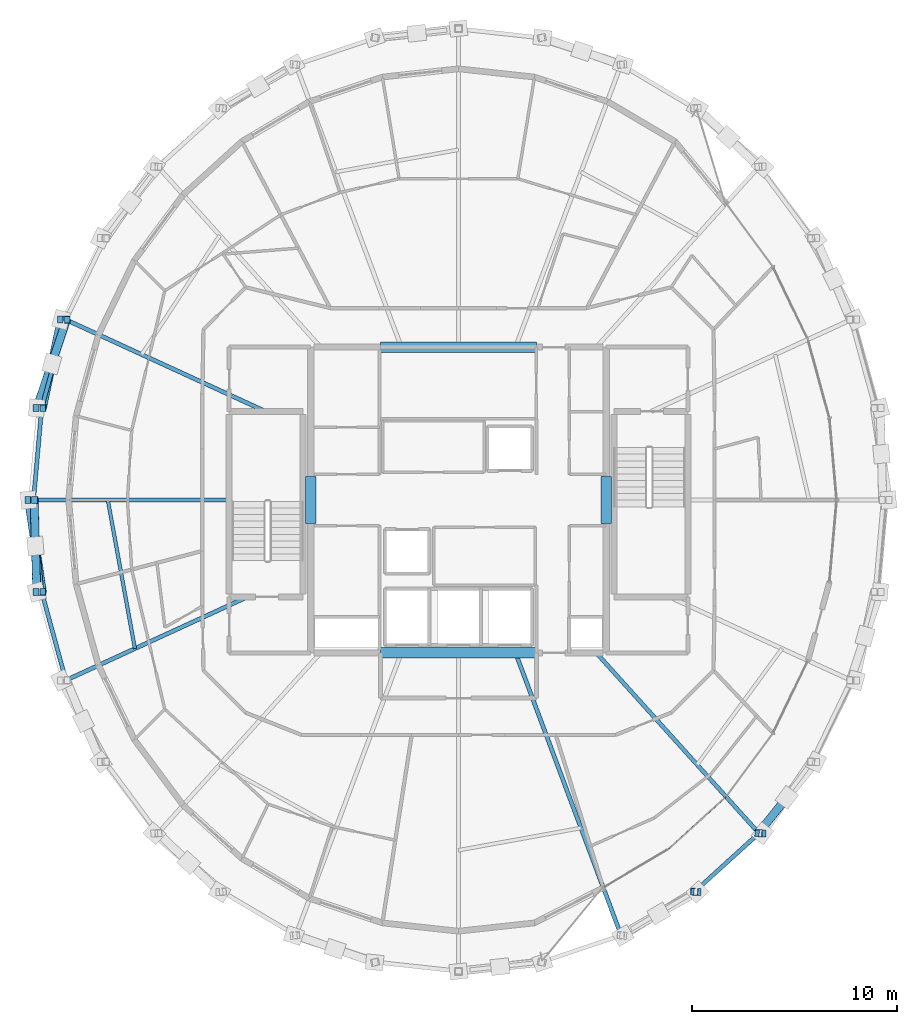
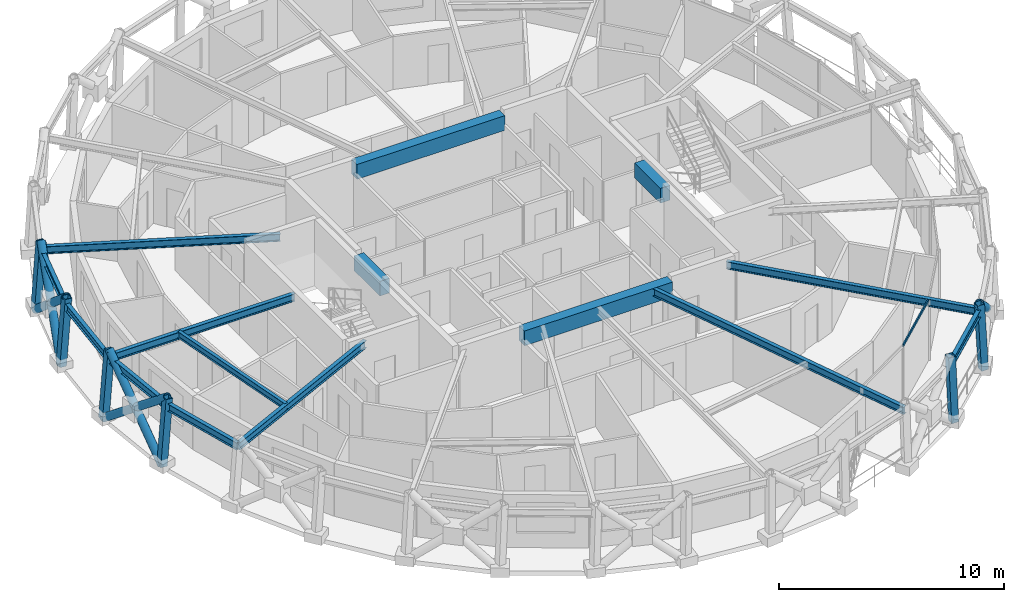
# One storey, part 3 of 15: 15 beams, 14 members, 1 element without a shape of its own.
"""IFC4 building model written with IfcOpenShell, lengths in metres."""

import ifcopenshell
import ifcopenshell.guid

model = None  # the IFC model being written
_history = None  # IfcOwnerHistory: only IFC2X3 demands one
_inside = {}  # id of a spatial element -> (the spatial element, [elements in it])
_under = {}  # id of a project, library or spatial element -> (it, [spatial elements below it])
_declared = {}  # id of a project -> (the project, [libraries it declares])
_typed = {}  # id of a type object -> (the type object, [elements of that type])
_made_of = {}  # id of a material, layer set ... -> (it, [elements and type objects made of it])


def new_model(schema):
    """Start an empty IFC model of exactly this schema.

    Asked for "IFC4X3", IfcOpenShell would pick the latest addendum, in which some entities
    have other attributes; the version numbers below select the first issue.
    IFC2X3 requires an IfcOwnerHistory on every rooted entity: one is made here for all.
    """
    global model, _history
    if schema == "IFC4X3":
        model = ifcopenshell.file(schema_version=(4, 3, 0, 0))
    else:
        model = ifcopenshell.file(schema=schema)
    _inside.clear()
    _under.clear()
    _declared.clear()
    _typed.clear()
    _made_of.clear()
    _history = None
    if model.schema == "IFC2X3":
        org = make("IfcOrganization", Name="unknown")
        user = make(
            "IfcPersonAndOrganization",
            ThePerson=make("IfcPerson", FamilyName="unknown"),
            TheOrganization=org,
        )
        app = make(
            "IfcApplication",
            ApplicationDeveloper=org,
            Version="unknown",
            ApplicationFullName="unknown",
            ApplicationIdentifier="unknown",
        )
        _history = make(
            "IfcOwnerHistory",
            OwningUser=user,
            OwningApplication=app,
            ChangeAction="ADDED",
            CreationDate=0,
        )
    return model


def make(cls, **values):
    """One entity of the class cls with the attributes given. An attribute that is None is left unset."""
    return model.create_entity(
        cls, **{name: value for name, value in values.items() if value is not None}
    )


def rooted(cls, **values):
    """An entity with a GlobalId (a new one), such as an element, a storey or a relation."""
    return make(cls, GlobalId=ifcopenshell.guid.new(), OwnerHistory=_history, **values)


def si_unit(unit_type, name, prefix=None):
    """IfcSIUnit, for example si_unit("LENGTHUNIT", "METRE", prefix="MILLI")."""
    return make("IfcSIUnit", UnitType=unit_type, Prefix=prefix, Name=name)


def assignment(units):
    """IfcUnitAssignment: the units of a project."""
    return None if units is None else make("IfcUnitAssignment", Units=units)


def point(xyz):
    """IfcCartesianPoint."""
    return None if xyz is None else make("IfcCartesianPoint", Coordinates=xyz)


def direction(xyz):
    """IfcDirection."""
    return None if xyz is None else make("IfcDirection", DirectionRatios=xyz)


def frame(location, z_axis=None, x_axis=None):
    """IfcAxis2Placement3D, a coordinate frame: its origin and axes. An axis left out is left unset."""
    return make(
        "IfcAxis2Placement3D",
        Location=point(location),
        Axis=direction(z_axis),
        RefDirection=direction(x_axis),
    )


def frame_2d(location, x_axis=None):
    """IfcAxis2Placement2D, a coordinate frame in the plane: its origin and x axis."""
    return make(
        "IfcAxis2Placement2D", Location=point(location), RefDirection=direction(x_axis)
    )


def origin():
    """The frame at (0, 0, 0) with its axes left unset."""
    return frame((0.0, 0.0, 0.0))


def origin_2d():
    """The frame at (0, 0) in the plane with its x axis left unset."""
    return frame_2d((0.0, 0.0))


def place(relative_to, where):
    """IfcLocalPlacement: puts the frame where relative to a parent placement (None: the world)."""
    return make(
        "IfcLocalPlacement", PlacementRelTo=relative_to, RelativePlacement=where
    )


def context(
    kind, dimensions, precision=None, world=None, true_north=None, identifier=None
):
    """IfcGeometricRepresentationContext, for example the 3D "Model" context."""
    return make(
        "IfcGeometricRepresentationContext",
        ContextIdentifier=identifier,
        ContextType=kind,
        CoordinateSpaceDimension=dimensions,
        Precision=precision,
        WorldCoordinateSystem=world,
        TrueNorth=true_north,
    )


def subcontext(parent, identifier, kind, view, scale=None):
    """IfcGeometricRepresentationSubContext, for example "Body" below "Model"."""
    return make(
        "IfcGeometricRepresentationSubContext",
        ContextIdentifier=identifier,
        ContextType=kind,
        ParentContext=parent,
        TargetScale=scale,
        TargetView=view,
    )


def project(units=None, contexts=None):
    """IfcProject with its units and contexts."""
    return rooted(
        "IfcProject",
        Name="project",
        RepresentationContexts=contexts,
        UnitsInContext=assignment(units),
    )


def spatial(cls, under=None, at=None, **own):
    """A site, building, storey or space (cls), placed at a placement, below another one or the project."""
    s = rooted(cls, ObjectPlacement=at, **own)
    if under is not None:
        _under.setdefault(under.id(), (under, []))[1].append(s)
    return s


def profile(cls, at=None, kind="AREA", **sizes):
    """A parametric profile (cls). Its sizes go by their IFC names, for example OverallWidth=200.0."""
    return make(cls, ProfileType=kind, Position=at, **sizes)


def rectangle(**sizes):
    """IfcRectangleProfileDef."""
    return profile("IfcRectangleProfileDef", **sizes)


def hollow_rectangle(**sizes):
    """IfcRectangleHollowProfileDef."""
    return profile("IfcRectangleHollowProfileDef", **sizes)


def hollow_circle(**sizes):
    """IfcCircleHollowProfileDef."""
    return profile("IfcCircleHollowProfileDef", **sizes)


def i_section(**sizes):
    """IfcIShapeProfileDef."""
    return profile("IfcIShapeProfileDef", **sizes)


def extrude(swept, where, along, depth):
    """IfcExtrudedAreaSolid: the profile swept, set in the frame where, extruded along a direction by depth."""
    return make(
        "IfcExtrudedAreaSolid",
        SweptArea=swept,
        Position=where,
        ExtrudedDirection=direction(along),
        Depth=depth,
    )


def shape(context_of_items, identifier, shape_type, items):
    """IfcShapeRepresentation: the items that make up one representation, for example the "Body"."""
    return make(
        "IfcShapeRepresentation",
        ContextOfItems=context_of_items,
        RepresentationIdentifier=identifier,
        RepresentationType=shape_type,
        Items=items,
    )


def material(Name=None, Category=None):
    """IfcMaterial."""
    return make("IfcMaterial", Name=Name, Category=Category)


def layer(
    of_material, thickness, ventilated=None, Name=None, Category=None, Priority=None
):
    """IfcMaterialLayer: one layer of a wall or slab, of a material (None: an air gap)."""
    return make(
        "IfcMaterialLayer",
        Material=of_material,
        LayerThickness=thickness,
        IsVentilated=ventilated,
        Name=Name,
        Category=Category,
        Priority=Priority,
    )


def layer_set(layers, Name=None):
    """IfcMaterialLayerSet."""
    return make("IfcMaterialLayerSet", MaterialLayers=layers, LayerSetName=Name)


def material_profile(
    of_material, cross_section, Name=None, Category=None, Priority=None
):
    """IfcMaterialProfile: a cross section and its material."""
    return make(
        "IfcMaterialProfile",
        Name=Name,
        Material=of_material,
        Profile=cross_section,
        Priority=Priority,
        Category=Category,
    )


def profile_set(profiles, Name=None, composite=None):
    """IfcMaterialProfileSet."""
    return make(
        "IfcMaterialProfileSet",
        Name=Name,
        MaterialProfiles=profiles,
        CompositeProfile=composite,
    )


def made_of(thing, what):
    """Note that an element or type object is made of a material, layer set ...; save() writes the relation."""
    if what is not None:
        _made_of.setdefault(what.id(), (what, []))[1].append(thing)
    return thing


def type_object(cls, material=None, **own):
    """A type object (cls), such as IfcWallType, which elements share."""
    return made_of(rooted(cls, **own), material)


def element(
    cls,
    number,
    at=None,
    inside=None,
    cuts=None,
    type_object=None,
    material=None,
    context=None,
    identifier="Body",
    shape_type=None,
    held_by="IfcProductDefinitionShape",
    body=None,
    shapes=None,
    **own,
):
    """One element of the class cls, such as IfcWall. Its Tag is "e" and its number.

    at: its placement. inside: the storey or other place that contains it. cuts: it is an
    opening in that element (IfcRelVoidsElement). A single representation is given by context,
    identifier, shape_type and body (its items); several are given by shapes. held_by: the class
    of the entity that holds the representations. save() writes the other relations.
    """
    e = rooted(cls, Tag="e%d" % number, ObjectPlacement=at, **own)
    if body is not None:
        shapes = [shape(context, identifier, shape_type, body)]
    if shapes is not None:
        e.Representation = make(held_by, Representations=shapes)
    if inside is not None:
        _inside.setdefault(inside.id(), (inside, []))[1].append(e)
    if cuts is not None:
        rooted(
            "IfcRelVoidsElement", RelatingBuildingElement=cuts, RelatedOpeningElement=e
        )
    if type_object is not None:
        _typed.setdefault(type_object.id(), (type_object, []))[1].append(e)
    return made_of(e, material)


def aggregate(whole, parts):
    """IfcRelAggregates: a whole, such as a stair, and the parts it consists of."""
    return rooted("IfcRelAggregates", RelatingObject=whole, RelatedObjects=parts)


def save(model, path):
    """Write the relations noted so far, then the file.

    IfcRelAggregates (storeys below a building ...), IfcRelContainedInSpatialStructure (elements
    in a storey), IfcRelDefinesByType, IfcRelAssociatesMaterial and IfcRelDeclares: one each for
    every whole, place, type object, material and project.
    """
    for whole, parts in _under.values():
        aggregate(whole, parts)
    for where, things in _inside.values():
        rooted(
            "IfcRelContainedInSpatialStructure",
            RelatedElements=things,
            RelatingStructure=where,
        )
    for kind, things in _typed.values():
        rooted("IfcRelDefinesByType", RelatedObjects=things, RelatingType=kind)
    for what, things in _made_of.values():
        rooted("IfcRelAssociatesMaterial", RelatedObjects=things, RelatingMaterial=what)
    for by, libraries in _declared.values():
        rooted("IfcRelDeclares", RelatingContext=by, RelatedDefinitions=libraries)
    model.write(path)


model = new_model("IFC4")

# Units and contexts
model_context = context("Model", 3, precision=1e-05, world=origin(), true_north=direction((0.0, 1.0)))
body_context = subcontext(model_context, "Body", "Model", "MODEL_VIEW")
ifc_project = project(units=[si_unit("LENGTHUNIT", "METRE"), si_unit("AREAUNIT", "SQUARE_METRE"), si_unit("VOLUMEUNIT", "CUBIC_METRE"), si_unit("PLANEANGLEUNIT", "RADIAN"), si_unit("MASSUNIT", "GRAM", prefix="KILO")], contexts=[model_context])

# Site, building, storey
site_placement = place(None, origin())
site = spatial("IfcSite", under=ifc_project, at=site_placement, CompositionType="ELEMENT")
building_placement = place(site_placement, origin())
building = spatial("IfcBuilding", under=site, at=building_placement, Name="Veldorina Hangang Commons", CompositionType="ELEMENT")
storey_placement = place(building_placement, frame((0.0, 0.0, 276.0)))
storey = spatial("IfcBuildingStorey", under=building, at=storey_placement, Name="L72", CompositionType="ELEMENT", Elevation=276.0)

# Beams
ifc_material_1 = material(Name="Concrete C50/60", Category="concrete")
ifc_material_profile_1 = material_profile(ifc_material_1, rectangle(XDim=0.5, YDim=0.800048828125, at=origin_2d()), Name="RC-CB-500x800")
ifc_profile_set_1 = profile_set([ifc_material_profile_1], Name="Concrete C50/60")
beam_type_1 = type_object("IfcBeamType", Name="BM-CB800", PredefinedType="LINTEL", material=ifc_profile_set_1)
for number, where, z_axis, x_axis, name in (
    (1, (24.800048828125, 22.85009765625, 2.9599609375), (0.0, 1.0, 0.0), (-1.0, 0.0, 0.0), "L72 W core coupling lintel beam"),
    (2, (39.199951171875, 22.85009765625, 2.9599609375), (0.0, 1.0, 0.0), (-1.0, 0.0, 0.0), "L72 E core coupling lintel beam"),
):
    element("IfcBeam", number, at=place(storey_placement, frame(where, z_axis=z_axis, x_axis=x_axis)), inside=storey, type_object=beam_type_1, Name=name, PredefinedType="LINTEL", context=body_context, shape_type="SweptSolid", body=[
        extrude(rectangle(XDim=0.5, YDim=0.800048828125, at=origin_2d()), origin(), (0.0, 0.0, 1.0), 2.2998046875),
    ])
for number, where, z_axis, x_axis, name in (
    (3, (28.199951171875, 16.550048828125, 2.9599609375), (1.0, 0.0, 0.0), (0.0, 1.0, 0.0), "L72 south core coupling beam"),
    (4, (28.199951171875, 31.449951171875, 2.9599609375), (1.0, 0.0, 0.0), (0.0, 1.0, 0.0), "L72 north core coupling beam"),
):
    element("IfcBeam", number, at=place(storey_placement, frame(where, z_axis=z_axis, x_axis=x_axis)), inside=storey, type_object=beam_type_1, Name=name, PredefinedType="LINTEL", context=body_context, shape_type="SweptSolid", body=[
        extrude(rectangle(XDim=0.5, YDim=0.800048828125, at=origin_2d()), origin(), (0.0, 0.0, 1.0), 7.60009765625),
    ])
ifc_material_2 = material(Name="Steel SM355-TMC", Category="steel")
ifc_material_profile_2 = material_profile(ifc_material_2, i_section(OverallWidth=0.199951171875, OverallDepth=0.39990234375, WebThickness=0.008056640625, FlangeThickness=0.012939453125, FilletRadius=0.012939453125, at=origin_2d()), Name="H-400x200x8x13")
ifc_profile_set_2 = profile_set([ifc_material_profile_2], Name="Steel SM355-TMC")
beam_type_2 = type_object("IfcBeamType", Name="BM-FG400", PredefinedType="BEAM", material=ifc_profile_set_2)
beam_1_placement = place(storey_placement, frame((22.5947265625, 28.320068359375, 3.159912109375), z_axis=(-0.90873296966, 0.417377993972, 0.0), x_axis=(-0.417377993972, -0.90873296966, 0.0)))
element("IfcBeam", 5, at=beam_1_placement, inside=storey, type_object=beam_type_2, Name="L72 radial floor girder 08", PredefinedType="BEAM", context=body_context, shape_type="SweptSolid", body=[
    extrude(i_section(OverallWidth=0.199951171875, OverallDepth=0.39990234375, WebThickness=0.008056640625, FlangeThickness=0.012939453125, FilletRadius=0.012939453125, at=origin_2d()), origin(), (0.0, 0.0, 1.0), 10.70263671875),
])
beam_2_placement = place(storey_placement, frame((20.820068359375, 24.0, 3.159912109375), z_axis=(-1.0, 0.0, 0.0), x_axis=(0.0, -1.0, 0.0)))
element("IfcBeam", 6, at=beam_2_placement, inside=storey, type_object=beam_type_2, Name="L72 radial floor girder 09", PredefinedType="BEAM", context=body_context, shape_type="SweptSolid", body=[
    extrude(i_section(OverallWidth=0.199951171875, OverallDepth=0.39990234375, WebThickness=0.008056640625, FlangeThickness=0.012939453125, FilletRadius=0.012939453125, at=origin_2d()), origin(), (0.0, 0.0, 1.0), 9.52734375),
])
beam_3_placement = place(storey_placement, frame((21.723876953125, 19.280029296875, 3.159912109375), z_axis=(-0.908730013375, -0.417384430461, 0.0), x_axis=(0.417384430461, -0.908730013375, 0.0)))
element("IfcBeam", 7, at=beam_3_placement, inside=storey, type_object=beam_type_2, Name="L72 radial floor girder 10", PredefinedType="BEAM", context=body_context, shape_type="SweptSolid", body=[
    extrude(i_section(OverallWidth=0.199951171875, OverallDepth=0.39990234375, WebThickness=0.008056640625, FlangeThickness=0.012939453125, FilletRadius=0.012939453125, at=origin_2d()), origin(), (0.0, 0.0, 1.0), 9.744384765625),
])
beam_4_placement = place(storey_placement, frame((34.782958984375, 16.550048828125, 3.159912109375), z_axis=(0.349917689305, -0.936780449578, 0.0), x_axis=(0.936780449578, 0.349917689305, 0.0)))
element("IfcBeam", 8, at=beam_4_placement, inside=storey, type_object=beam_type_2, Name="L72 radial floor girder 14", PredefinedType="BEAM", context=body_context, shape_type="SweptSolid", body=[
    extrude(i_section(OverallWidth=0.199951171875, OverallDepth=0.39990234375, WebThickness=0.008056640625, FlangeThickness=0.012939453125, FilletRadius=0.012939453125, at=origin_2d()), origin(), (0.0, 0.0, 1.0), 14.693115234375),
])
beam_5_placement = place(storey_placement, frame((38.718505859375, 16.550048828125, 3.159912109375), z_axis=(0.669683766182, -0.742646385107, 0.0), x_axis=(0.742646385107, 0.669683766182, 0.0)))
element("IfcBeam", 9, at=beam_5_placement, inside=storey, type_object=beam_type_2, Name="L72 radial floor girder 15", PredefinedType="BEAM", context=body_context, shape_type="SweptSolid", body=[
    extrude(i_section(OverallWidth=0.199951171875, OverallDepth=0.39990234375, WebThickness=0.008056640625, FlangeThickness=0.012939453125, FilletRadius=0.012939453125, at=origin_2d()), origin(), (0.0, 0.0, 1.0), 11.831787109375),
])
ifc_material_profile_3 = material_profile(ifc_material_2, i_section(OverallWidth=0.175048828125, OverallDepth=0.35009765625, WebThickness=0.007080078125, FlangeThickness=0.010986328125, FilletRadius=0.012939453125, at=origin_2d()), Name="H-350x175x7x11")
ifc_profile_set_3 = profile_set([ifc_material_profile_3], Name="Steel SM355-TMC")
beam_type_3 = type_object("IfcBeamType", Name="BM-JST350", PredefinedType="JOIST", material=ifc_profile_set_3)
beam_6_placement = place(storey_placement, frame((14.9130859375, 24.0, 3.18505859375), z_axis=(0.179428272701, -0.983771058202, 0.0), x_axis=(0.983771058202, 0.179428272701, 0.0)))
element("IfcBeam", 10, at=beam_6_placement, inside=storey, type_object=beam_type_3, Name="L72 secondary floor joist 09", PredefinedType="JOIST", context=body_context, shape_type="SweptSolid", body=[
    extrude(i_section(OverallWidth=0.175048828125, OverallDepth=0.35009765625, WebThickness=0.007080078125, FlangeThickness=0.010986328125, FilletRadius=0.012939453125, at=origin_2d()), origin(), (0.0, 0.0, 1.0), 7.361083984375),
])
ifc_material_profile_4 = material_profile(ifc_material_2, i_section(OverallWidth=0.199951171875, OverallDepth=0.39990234375, WebThickness=0.008056640625, FlangeThickness=0.012939453125, FilletRadius=0.012939453125, at=origin_2d()), Name="H-400x200x8x13")
ifc_profile_set_4 = profile_set([ifc_material_profile_4], Name="Steel SM355-TMC")
beam_type_4 = type_object("IfcBeamType", Name="BM-RB400", PredefinedType="BEAM", material=ifc_profile_set_4)
beam_7_placement = place(storey_placement, frame((12.868896484375, 32.787109375, 3.159912109375), z_axis=(-0.263843618219, -0.96456546959, 0.0), x_axis=(0.96456546959, -0.263843618219, 0.0)))
element("IfcBeam", 11, at=beam_7_placement, inside=storey, type_object=beam_type_4, Name="L72 perimeter hoop ring beam 14", PredefinedType="BEAM", context=body_context, shape_type="SweptSolid", body=[
    extrude(i_section(OverallWidth=0.199951171875, OverallDepth=0.39990234375, WebThickness=0.008056640625, FlangeThickness=0.012939453125, FilletRadius=0.012939453125, at=origin_2d()), origin(), (0.0, 0.0, 1.0), 4.465576171875),
])
for number, where, z_axis, x_axis, name in (
    (12, (11.690673828125, 28.479736328125, 3.159912109375), (-0.088484733714, -0.996077533076, 0.0), (0.996077533076, -0.088484733714, 0.0), "L72 perimeter hoop ring beam 15"),
    (13, (11.292724609375, 24.0, 3.159912109375), (0.088484733714, -0.996077533076, 0.0), (0.996077533076, 0.088484733714, 0.0), "L72 perimeter hoop ring beam 16"),
):
    element("IfcBeam", number, at=place(storey_placement, frame(where, z_axis=z_axis, x_axis=x_axis)), inside=storey, type_object=beam_type_4, Name=name, PredefinedType="BEAM", context=body_context, shape_type="SweptSolid", body=[
        extrude(i_section(OverallWidth=0.199951171875, OverallDepth=0.39990234375, WebThickness=0.008056640625, FlangeThickness=0.012939453125, FilletRadius=0.012939453125, at=origin_2d()), origin(), (0.0, 0.0, 1.0), 4.497314453125),
    ])
beam_8_placement = place(storey_placement, frame((11.690673828125, 19.520263671875, 3.159912109375), z_axis=(0.263843618219, -0.96456546959, 0.0), x_axis=(0.96456546959, 0.263843618219, 0.0)))
element("IfcBeam", 14, at=beam_8_placement, inside=storey, type_object=beam_type_4, Name="L72 perimeter hoop ring beam 17", PredefinedType="BEAM", context=body_context, shape_type="SweptSolid", body=[
    extrude(i_section(OverallWidth=0.199951171875, OverallDepth=0.39990234375, WebThickness=0.008056640625, FlangeThickness=0.012939453125, FilletRadius=0.012939453125, at=origin_2d()), origin(), (0.0, 0.0, 1.0), 4.465576171875),
])
beam_9_placement = place(storey_placement, frame((43.50439453125, 4.90771484375, 3.159912109375), z_axis=(0.739585839401, 0.673062245381, 0.0), x_axis=(-0.673062245381, 0.739585839401, 0.0)))
element("IfcBeam", 15, at=beam_9_placement, inside=storey, type_object=beam_type_4, Name="L72 perimeter hoop ring beam 27", PredefinedType="BEAM", context=body_context, shape_type="SweptSolid", body=[
    extrude(i_section(OverallWidth=0.199951171875, OverallDepth=0.39990234375, WebThickness=0.008056640625, FlangeThickness=0.012939453125, FilletRadius=0.012939453125, at=origin_2d()), origin(), (0.0, 0.0, 1.0), 4.242431640625),
])

# Curtain wall, member
ifc_material_3 = material(Name="Glass Low-E Selective", Category="glass")
ifc_layer = layer(ifc_material_3, 0.179931640625)
ifc_layer_set = layer_set([ifc_layer], Name="Glass Low-E Selective")
curtain_wall_type = type_object("IfcCurtainWallType", Name="CW-SYS-Z3", PredefinedType="NOTDEFINED", material=ifc_layer_set)
curtain_wall_placement = place(storey_placement, origin())
curtain_wall = element("IfcCurtainWall", 16, at=curtain_wall_placement, inside=storey, type_object=curtain_wall_type, Name="L72 unitised curtain wall CW-L72-R1", PredefinedType="NOTDEFINED")
ifc_material_4 = material(Name="Aluminium Anodized AA6063-T6", Category="aluminium")
ifc_material_profile_5 = material_profile(ifc_material_4, hollow_rectangle(XDim=0.06005859375, YDim=0.139892578125, WallThickness=0.00341796875, at=origin_2d()), Name="ALU-RHS-140x60x3.5")
ifc_profile_set_5 = profile_set([ifc_material_profile_5], Name="Aluminium Anodized AA6063-T6")
member_type_1 = type_object("IfcMemberType", Name="CW-TRN-140", PredefinedType="USERDEFINED", material=ifc_profile_set_5)
member_1_placement = place(storey_placement, frame((42.241943359375, 6.994140625, 3.280029296875), z_axis=(0.739387187258, 0.673280467055, 0.0), x_axis=(-0.673280467055, 0.739387187258, 0.0)))
member_1 = element("IfcMember", 17, at=member_1_placement, type_object=member_type_1, Name="CW-L72-R1 facet 2 transom 1", ObjectType="TRANSOM", PredefinedType="USERDEFINED", context=body_context, shape_type="SweptSolid", body=[
    extrude(hollow_rectangle(XDim=0.06005859375, YDim=0.139892578125, WallThickness=0.00341796875, at=origin_2d()), origin(), (0.0, 0.0, 1.0), 3.778076171875),
])
aggregate(curtain_wall, [member_1])

# Members
ifc_material_profile_6 = material_profile(ifc_material_2, hollow_circle(Radius=0.199951171875, WallThickness=0.02001953125, at=origin_2d()), Name="CHS-400x20")
ifc_profile_set_6 = profile_set([ifc_material_profile_6], Name="Steel SM355-TMC")
member_type_2 = type_object("IfcMemberType", Name="DG-CHS400", PredefinedType="BRACE", material=ifc_profile_set_6)
member_2_placement = place(storey_placement, frame((12.64013671875, 32.791259765625, 0.0), z_axis=(-0.160866007404, -0.757614548472, 0.632568038716), x_axis=(0.978192199773, -0.207701758063, 0.0)))
element("IfcMember", 18, at=member_2_placement, inside=storey, type_object=member_type_2, Name="L72 continuous perimeter diagrid brace 14", PredefinedType="BRACE", context=body_context, shape_type="SweptSolid", body=[
    extrude(hollow_circle(Radius=0.199951171875, WallThickness=0.02001953125, at=origin_2d()), origin(), (0.0, 0.0, 1.0), 5.691162109375),
])
member_3_placement = place(storey_placement, frame((11.44775390625, 28.481689453125, 0.0), z_axis=(0.253072559961, 0.741880484223, 0.620940920317), x_axis=(-0.946448313742, 0.322855369191, 0.0)))
element("IfcMember", 19, at=member_3_placement, inside=storey, type_object=member_type_2, Name="L72 split perimeter diagrid lower brace 15", PredefinedType="BRACE", context=body_context, shape_type="SweptSolid", body=[
    extrude(hollow_circle(Radius=0.199951171875, WallThickness=0.02001953125, at=origin_2d()), origin(), (0.0, 0.0, 1.0), 2.90087890625),
])
member_4_placement = place(storey_placement, frame((12.181884765625, 30.6337890625, 1.80126953125), z_axis=(0.248262503805, 0.743354417167, 0.621119907653), x_axis=(-0.948500280464, 0.316776290085, 0.0)))
element("IfcMember", 20, at=member_4_placement, inside=storey, type_object=member_type_2, Name="L72 split perimeter diagrid upper brace 15", PredefinedType="BRACE", context=body_context, shape_type="SweptSolid", body=[
    extrude(hollow_circle(Radius=0.199951171875, WallThickness=0.02001953125, at=origin_2d()), origin(), (0.0, 0.0, 1.0), 2.89599609375),
])
member_5_placement = place(storey_placement, frame((11.045166015625, 24.0, 0.0), z_axis=(0.117410618971, -0.774074752742, 0.622111745364), x_axis=(0.98869154785, 0.149963406239, 0.0)))
element("IfcMember", 21, at=member_5_placement, inside=storey, type_object=member_type_2, Name="L72 continuous perimeter diagrid brace 16", PredefinedType="BRACE", context=body_context, shape_type="SweptSolid", body=[
    extrude(hollow_circle(Radius=0.199951171875, WallThickness=0.02001953125, at=origin_2d()), origin(), (0.0, 0.0, 1.0), 5.786865234375),
])
member_6_placement = place(storey_placement, frame((11.44775390625, 19.518310546875, 0.0), z_axis=(-0.021819730369, 0.779397372719, 0.626149850088), x_axis=(-0.999608352197, -0.02798467827, 0.0)))
element("IfcMember", 22, at=member_6_placement, inside=storey, type_object=member_type_2, Name="L72 split perimeter diagrid lower brace 17", PredefinedType="BRACE", context=body_context, shape_type="SweptSolid", body=[
    extrude(hollow_circle(Radius=0.199951171875, WallThickness=0.02001953125, at=origin_2d()), origin(), (0.0, 0.0, 1.0), 2.87548828125),
])
member_7_placement = place(storey_placement, frame((11.385009765625, 21.759521484375, 1.800537109375), z_axis=(-0.020045785443, 0.779492258524, 0.626091036022), x_axis=(-0.999669495634, -0.025707965672, 0.0)))
element("IfcMember", 23, at=member_7_placement, inside=storey, type_object=member_type_2, Name="L72 split perimeter diagrid upper brace 17", PredefinedType="BRACE", context=body_context, shape_type="SweptSolid", body=[
    extrude(hollow_circle(Radius=0.199951171875, WallThickness=0.02001953125, at=origin_2d()), origin(), (0.0, 0.0, 1.0), 2.874267578125),
])
member_8_placement = place(storey_placement, frame((48.006103515625, 9.50439453125, 1.8046875), z_axis=(-0.485422875718, -0.608443340704, 0.627822692232), x_axis=(0.78170276482, -0.623651174514, 0.0)))
element("IfcMember", 24, at=member_8_placement, inside=storey, type_object=member_type_2, Name="L72 split perimeter diagrid upper brace 29", PredefinedType="BRACE", context=body_context, shape_type="SweptSolid", body=[
    extrude(hollow_circle(Radius=0.199951171875, WallThickness=0.02001953125, at=origin_2d()), origin(), (0.0, 0.0, 1.0), 2.859619140625),
])
ifc_material_profile_7 = material_profile(ifc_material_2, hollow_rectangle(XDim=0.35009765625, YDim=0.35009765625, WallThickness=0.01611328125, at=origin_2d()), Name="SHS-350x350x16")
ifc_profile_set_7 = profile_set([ifc_material_profile_7], Name="Steel SM355-TMC")
member_type_3 = type_object("IfcMemberType", Name="STR-SHS350", PredefinedType="STRUT", material=ifc_profile_set_7)
member_9_placement = place(storey_placement, frame((12.64013671875, 32.791259765625, 0.0), z_axis=(0.072237145634, -0.001285117759, 0.99738665685), x_axis=(0.01778744759, 0.999841790839, 0.0)))
element("IfcMember", 25, at=member_9_placement, inside=storey, type_object=member_type_3, Name="L72 perimeter ring node post 14", PredefinedType="STRUT", context=body_context, shape_type="SweptSolid", body=[
    extrude(hollow_rectangle(XDim=0.35009765625, YDim=0.35009765625, WallThickness=0.01611328125, at=origin_2d()), origin(), (0.0, 0.0, 1.0), 3.609619140625),
])
member_10_placement = place(storey_placement, frame((11.44775390625, 28.481689453125, 0.0), z_axis=(0.076675802326, -0.000608538114, 0.997055891622), x_axis=(0.007936257995, 0.999968507409, 0.0)))
element("IfcMember", 26, at=member_10_placement, inside=storey, type_object=member_type_3, Name="L72 perimeter ring node post 15", PredefinedType="STRUT", context=body_context, shape_type="SweptSolid", body=[
    extrude(hollow_rectangle(XDim=0.35009765625, YDim=0.35009765625, WallThickness=0.01611328125, at=origin_2d()), origin(), (0.0, 0.0, 1.0), 3.61083984375),
])
member_11_placement = place(storey_placement, frame((11.045166015625, 24.0, 0.0), z_axis=(0.078154354316, 0.0, 0.996941270538), x_axis=(0.0, 1.0, 0.0)))
element("IfcMember", 27, at=member_11_placement, inside=storey, type_object=member_type_3, Name="L72 perimeter ring node post 16", PredefinedType="STRUT", context=body_context, shape_type="SweptSolid", body=[
    extrude(hollow_rectangle(XDim=0.35009765625, YDim=0.35009765625, WallThickness=0.01611328125, at=origin_2d()), origin(), (0.0, 0.0, 1.0), 3.611083984375),
])
member_12_placement = place(storey_placement, frame((11.44775390625, 19.518310546875, 0.0), z_axis=(0.076675802326, 0.000608538114, 0.997055891622), x_axis=(-0.007936257995, 0.999968507409, 0.0)))
element("IfcMember", 28, at=member_12_placement, inside=storey, type_object=member_type_3, Name="L72 perimeter ring node post 17", PredefinedType="STRUT", context=body_context, shape_type="SweptSolid", body=[
    extrude(hollow_rectangle(XDim=0.35009765625, YDim=0.35009765625, WallThickness=0.01611328125, at=origin_2d()), origin(), (0.0, 0.0, 1.0), 3.61083984375),
])
member_13_placement = place(storey_placement, frame((43.641845703125, 4.89892578125, 0.0), z_axis=(-0.043495858992, 0.002777772926, 0.999049745622), x_axis=(-0.063733093725, -0.997966979797, 0.0)))
element("IfcMember", 29, at=member_13_placement, inside=storey, type_object=member_type_3, Name="L72 perimeter ring node post 27", PredefinedType="STRUT", context=body_context, shape_type="SweptSolid", body=[
    extrude(hollow_rectangle(XDim=0.35009765625, YDim=0.35009765625, WallThickness=0.01611328125, at=origin_2d()), origin(), (0.0, 0.0, 1.0), 3.603515625),
])
member_14_placement = place(storey_placement, frame((46.8173828125, 7.755859375, 0.0), z_axis=(-0.055319857399, 0.002369883732, 0.998465871739), x_axis=(-0.042800400862, -0.999083642988, 0.0)))
element("IfcMember", 30, at=member_14_placement, inside=storey, type_object=member_type_3, Name="L72 perimeter ring node post 28", PredefinedType="STRUT", context=body_context, shape_type="SweptSolid", body=[
    extrude(hollow_rectangle(XDim=0.35009765625, YDim=0.35009765625, WallThickness=0.01611328125, at=origin_2d()), origin(), (0.0, 0.0, 1.0), 3.605712890625),
])

save(model, "model.ifc")
